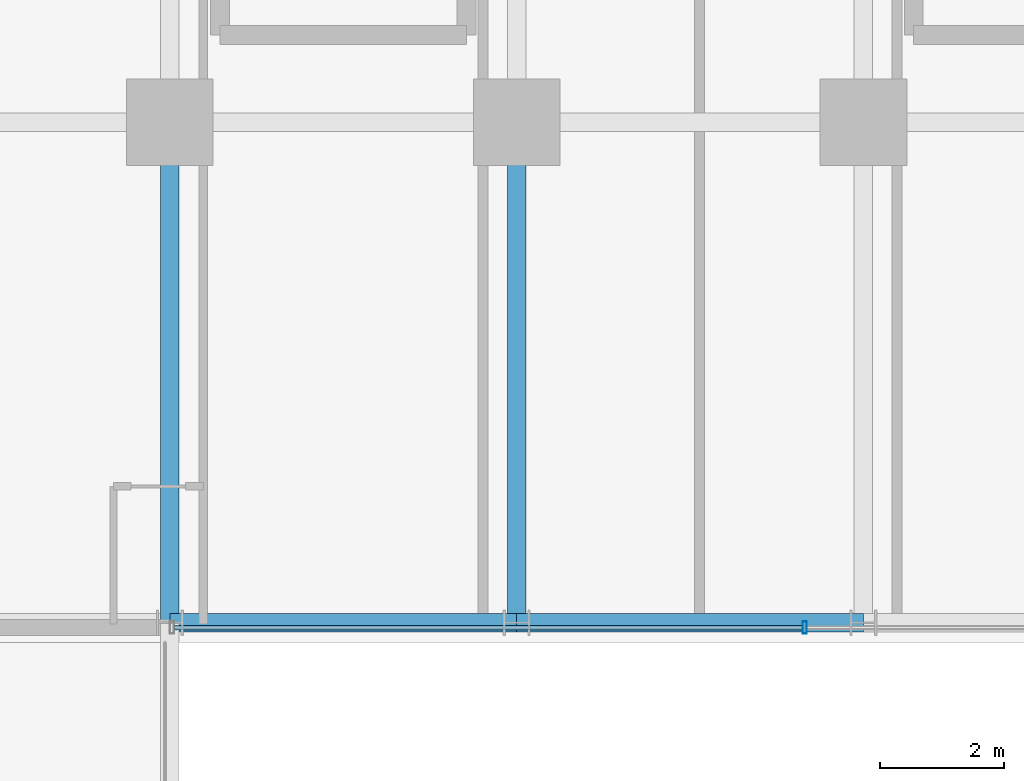
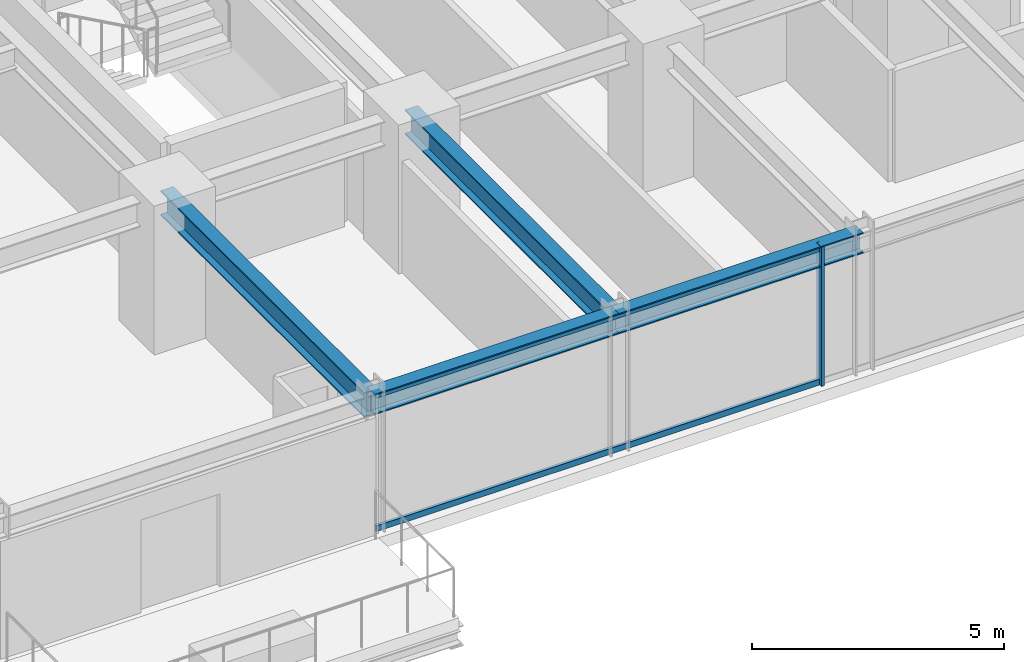
# One storey, part 6 of 35: 4 beams, 3 members, 1 element without a shape of its own.
"""IFC4 building model written with IfcOpenShell, lengths in metres."""

from ifc_helpers import new_model, si_unit, direction, frame, origin, origin_2d, place, context, subcontext, project, spatial, hollow_rectangle, i_section, extrude, source, transform, mapped, material, material_profile, profile_set, type_object, element, aggregate, save


model = new_model("IFC4")

# Units and contexts
model_context = context("Model", 3, precision=1e-05, world=origin(), true_north=direction((0.0, 1.0)))
body_context = subcontext(model_context, "Body", "Model", "MODEL_VIEW")
ifc_project = project(units=[si_unit("LENGTHUNIT", "METRE"), si_unit("AREAUNIT", "SQUARE_METRE"), si_unit("VOLUMEUNIT", "CUBIC_METRE"), si_unit("PLANEANGLEUNIT", "RADIAN"), si_unit("MASSUNIT", "GRAM", prefix="KILO")], contexts=[model_context])

# Site, building, storey
site_placement = place(None, origin())
site = spatial("IfcSite", under=ifc_project, at=site_placement, CompositionType="ELEMENT")
building_placement = place(site_placement, origin())
building = spatial("IfcBuilding", under=site, at=building_placement, Name="Nahalor Promenade Grand Hotel", CompositionType="ELEMENT")
storey_placement = place(building_placement, frame((0.0, 0.0, 43.35009765625)))
storey = spatial("IfcBuildingStorey", under=building, at=storey_placement, Name="L09", CompositionType="ELEMENT", Elevation=43.35009765625)

# Beams
ifc_material_1 = material(Name="Steel S355JR", Category="steel")
ifc_material_profile_1 = material_profile(ifc_material_1, i_section(OverallWidth=0.3, OverallDepth=0.5, WebThickness=0.0145, FlangeThickness=0.028, at=origin_2d()), Name="HEB 500")
ifc_profile_set_1 = profile_set([ifc_material_profile_1], Name="Steel S355JR")
beam_type_1 = type_object("IfcBeamType", Name="Beam-Spandrel-HEB500", PredefinedType="SPANDREL", material=ifc_profile_set_1)
shared_shape_1 = source(origin(), body_context, "Body", "SweptSolid", [
    extrude(i_section(OverallWidth=0.3, OverallDepth=0.5, WebThickness=0.0145, FlangeThickness=0.028, at=origin_2d()), origin(), (0.0, 0.0, 1.0), 5.599853515625),
])
beam_1_placement = place(storey_placement, frame((-8.39990234375, -25.080078125, 3.119873046875), z_axis=(1.0, 0.0, 0.0), x_axis=(0.0, 1.0, 0.0)))
element("IfcBeam", 1, at=beam_1_placement, inside=storey, type_object=beam_type_1, Name="BM-L09-SP-S-1", PredefinedType="SPANDREL", context=body_context, shape_type="MappedRepresentation", body=[
    mapped(shared_shape_1, transform((0.0, 0.0, 0.0), scale=1.0)),
])
shared_shape_2 = source(origin(), body_context, "Body", "SweptSolid", [
    extrude(i_section(OverallWidth=0.3, OverallDepth=0.5, WebThickness=0.0145, FlangeThickness=0.028, at=origin_2d()), origin(), (0.0, 0.0, 1.0), 5.60009765625),
])
beam_2_placement = place(storey_placement, frame((-2.800048828125, -25.080078125, 3.119873046875), z_axis=(1.0, 0.0, 0.0), x_axis=(0.0, 1.0, 0.0)))
element("IfcBeam", 2, at=beam_2_placement, inside=storey, type_object=beam_type_1, Name="BM-L09-SP-S-2", PredefinedType="SPANDREL", context=body_context, shape_type="MappedRepresentation", body=[
    mapped(shared_shape_2, transform((0.0, 0.0, 0.0), scale=1.0)),
])
ifc_material_profile_2 = material_profile(ifc_material_1, i_section(OverallWidth=0.3, OverallDepth=0.6, WebThickness=0.0155, FlangeThickness=0.03, at=origin_2d()), Name="HEB 600")
ifc_profile_set_2 = profile_set([ifc_material_profile_2], Name="Steel S355JR")
beam_type_2 = type_object("IfcBeamType", Name="Beam-Girder-HEB600", PredefinedType="BEAM", material=ifc_profile_set_2)
shared_shape_3 = source(origin(), body_context, "Body", "SweptSolid", [
    extrude(i_section(OverallWidth=0.3, OverallDepth=0.6, WebThickness=0.0155, FlangeThickness=0.03, at=origin_2d()), origin(), (0.0, 0.0, 1.0), 8.080078125),
])
for number, where, z_axis, x_axis, name in (
    (3, (-8.39990234375, -25.080078125, 3.06982421875), (0.0, 1.0, 0.0), (-1.0, 0.0, 0.0), "BM-L09-GY-1-0"),
    (4, (-2.800048828125, -25.080078125, 3.06982421875), (0.0, 1.0, 0.0), (-1.0, 0.0, 0.0), "BM-L09-GY-2-0"),
):
    element("IfcBeam", number, at=place(storey_placement, frame(where, z_axis=z_axis, x_axis=x_axis)), inside=storey, type_object=beam_type_2, Name=name, PredefinedType="BEAM", context=body_context, shape_type="MappedRepresentation", body=[
        mapped(shared_shape_3, transform((0.0, 0.0, 0.0), scale=1.0)),
    ])

# Curtain wall, members
ifc_material_2 = material(Name="Anodised Bronze Aluminium EN AW-6063 T6", Category="aluminium")
curtain_wall_type = type_object("IfcCurtainWallType", Name="CW3 Elliptical-Void Collar Unitised Curtain Wall", PredefinedType="USERDEFINED", material=ifc_material_2)
curtain_wall_placement = place(storey_placement, origin())
curtain_wall = element("IfcCurtainWall", 5, at=curtain_wall_placement, inside=storey, type_object=curtain_wall_type, Name="L09 Curtain Wall CW-L09-S-3", ObjectType="UNITISED_CURTAIN_WALL", PredefinedType="USERDEFINED")
ifc_material_profile_3 = material_profile(ifc_material_2, hollow_rectangle(XDim=0.07, YDim=0.2, WallThickness=0.005, at=origin_2d()), Name="CWM 70x200x5")
ifc_profile_set_3 = profile_set([ifc_material_profile_3], Name="Anodised Bronze Aluminium EN AW-6063 T6")
member_type_1 = type_object("IfcMemberType", Name="CWM3 Void Collar Mullion 70x200", PredefinedType="MULLION", material=ifc_profile_set_3)
shared_shape_4 = source(origin(), body_context, "Body", "SweptSolid", [
    extrude(hollow_rectangle(XDim=0.07, YDim=0.2, WallThickness=0.005, at=origin_2d()), origin(), (0.0, 0.0, 1.0), 3.369873046875),
])
member_1_placement = place(storey_placement, frame((1.853271484375, -25.159912109375, 0.0), z_axis=(0.0, 0.0, 1.0), x_axis=(1.0, 0.0, 0.0)))
member_1 = element("IfcMember", 6, at=member_1_placement, type_object=member_type_1, Name="CW-L09-S-3 Mullion 1", PredefinedType="MULLION", context=body_context, shape_type="MappedRepresentation", body=[
    mapped(shared_shape_4, transform((0.0, 0.0, 0.0), scale=1.0)),
])
ifc_material_profile_4 = material_profile(ifc_material_2, hollow_rectangle(XDim=0.07, YDim=0.14, WallThickness=0.004, at=origin_2d()), Name="CWT 70x140x4")
ifc_profile_set_4 = profile_set([ifc_material_profile_4], Name="Anodised Bronze Aluminium EN AW-6063 T6")
member_type_2 = type_object("IfcMemberType", Name="CWT3 Void Collar Transom 70x140", PredefinedType="USERDEFINED", material=ifc_profile_set_4)
shared_shape_5 = source(origin(), body_context, "Body", "SweptSolid", [
    extrude(hollow_rectangle(XDim=0.07, YDim=0.14, WallThickness=0.004, at=origin_2d()), origin(), (0.0, 0.0, 1.0), 10.1484375),
])
member_2_placement = place(storey_placement, frame((-8.330078125, -25.159912109375, 0.06982421875), z_axis=(1.0, 0.0, 0.0), x_axis=(0.0, 1.0, 0.0)))
member_2 = element("IfcMember", 7, at=member_2_placement, type_object=member_type_2, Name="CW-L09-S-3 Transom 0-0", ObjectType="TRANSOM", PredefinedType="USERDEFINED", context=body_context, shape_type="MappedRepresentation", body=[
    mapped(shared_shape_5, transform((0.0, 0.0, 0.0), scale=1.0)),
])
member_3_placement = place(storey_placement, frame((-8.330078125, -25.159912109375, 3.2998046875), z_axis=(1.0, 0.0, 0.0), x_axis=(0.0, 1.0, 0.0)))
member_3 = element("IfcMember", 8, at=member_3_placement, type_object=member_type_2, Name="CW-L09-S-3 Transom 0-1", ObjectType="TRANSOM", PredefinedType="USERDEFINED", context=body_context, shape_type="MappedRepresentation", body=[
    mapped(shared_shape_5, transform((0.0, 0.0, 0.0), scale=1.0)),
])
aggregate(curtain_wall, [member_1, member_2, member_3])

save(model, "model.ifc")
